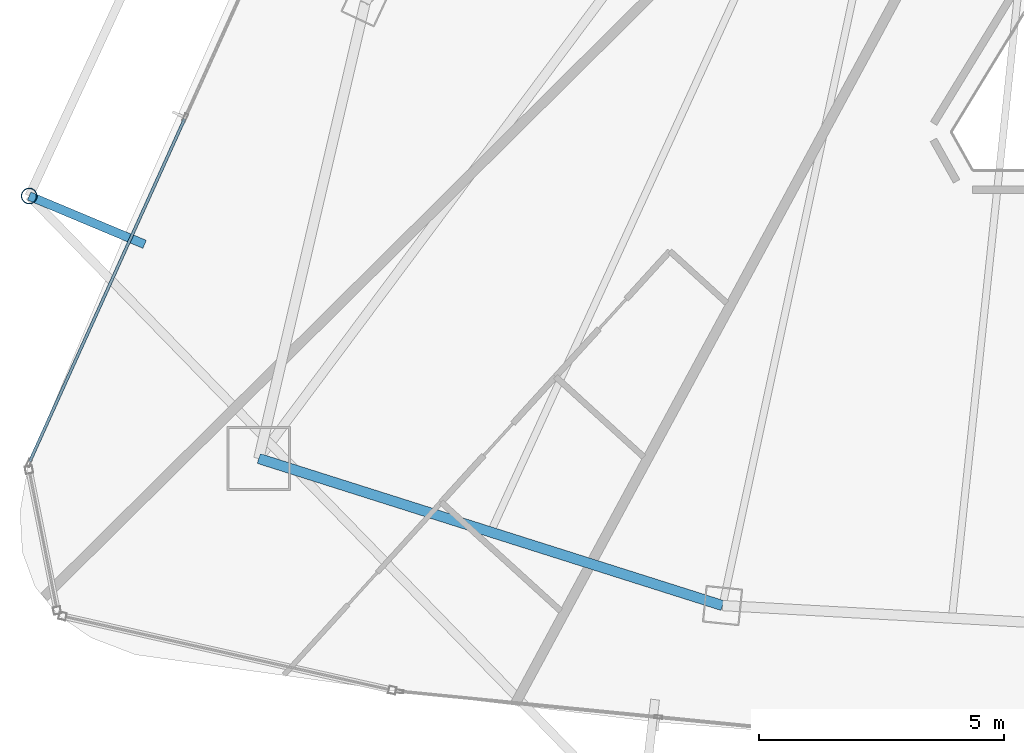
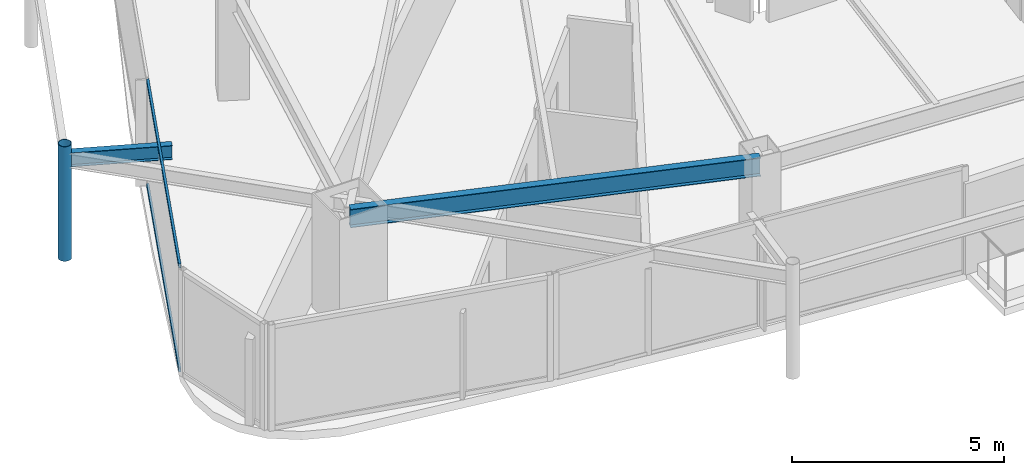
# One storey, part 5 of 34: 3 members, 2 beams, 1 element without a shape of its own.
"""IFC4 building model written with IfcOpenShell, lengths in metres."""

from ifc_helpers import new_model, si_unit, direction, frame, origin, origin_2d, place, context, subcontext, project, spatial, hollow_rectangle, hollow_circle, i_section, extrude, material, layer, layer_set, material_profile, profile_set, type_object, element, aggregate, save


model = new_model("IFC4")

# Units and contexts
model_context = context("Model", 3, precision=1e-05, world=origin(), true_north=direction((0.0, 1.0)))
body_context = subcontext(model_context, "Body", "Model", "MODEL_VIEW")
ifc_project = project(units=[si_unit("LENGTHUNIT", "METRE"), si_unit("AREAUNIT", "SQUARE_METRE"), si_unit("VOLUMEUNIT", "CUBIC_METRE"), si_unit("PLANEANGLEUNIT", "RADIAN"), si_unit("MASSUNIT", "GRAM", prefix="KILO")], contexts=[model_context])

# Site, building, storey
site_placement = place(None, origin())
site = spatial("IfcSite", under=ifc_project, at=site_placement, CompositionType="ELEMENT")
building_placement = place(site_placement, origin())
building = spatial("IfcBuilding", under=site, at=building_placement, Name="Orvanel Arch Residences", CompositionType="ELEMENT")
storey_placement = place(building_placement, frame((0.0, 0.0, 199.699951171875)))
storey = spatial("IfcBuildingStorey", under=building, at=storey_placement, Name="L56", CompositionType="ELEMENT", Elevation=199.699951171875)

# Beams
ifc_material_1 = material(Name="Structural steel AS/NZS 3679.1 Grade 300 (300 MPa)", Category="steel")
ifc_material_profile_1 = material_profile(ifc_material_1, i_section(OverallWidth=0.177978515625, OverallDepth=0.406005859375, WebThickness=0.0078125, FlangeThickness=0.0126953125, at=origin_2d()), Name="410UB59.7")
ifc_profile_set_1 = profile_set([ifc_material_profile_1], Name="Structural steel AS/NZS 3679.1 Grade 300 (300 MPa)")
beam_type_1 = type_object("IfcBeamType", Name="OB-410UB-EXT", PredefinedType="SPANDREL", material=ifc_profile_set_1)
beam_1_placement = place(storey_placement, frame((11.8720703125, 14.716064453125, 2.85693359375), z_axis=(-0.92240132861, 0.386232817066, 0.0), x_axis=(-0.386232817066, -0.92240132861, 0.0)))
element("IfcBeam", 1, at=beam_1_placement, inside=storey, type_object=beam_type_1, Name="L56 Outer Frame Radial Tie Beam 04", PredefinedType="SPANDREL", context=body_context, shape_type="SweptSolid", body=[
    extrude(i_section(OverallWidth=0.177978515625, OverallDepth=0.406005859375, WebThickness=0.0078125, FlangeThickness=0.0126953125, at=origin_2d()), origin(), (0.0, 0.0, 1.0), 2.5498046875),
])
ifc_material_profile_2 = material_profile(ifc_material_1, i_section(OverallWidth=0.208984375, OverallDepth=0.532958984375, WebThickness=0.01025390625, FlangeThickness=0.015625, at=origin_2d()), Name="530UB92.4")
ifc_profile_set_2 = profile_set([ifc_material_profile_2], Name="Structural steel AS/NZS 3679.1 Grade 300 (300 MPa)")
beam_type_2 = type_object("IfcBeamType", Name="SP-530UB", PredefinedType="SPANDREL", material=ifc_profile_set_2)
beam_2_placement = place(storey_placement, frame((14.198974609375, 10.35107421875, 2.79296875), z_axis=(0.953237386592, -0.302222574941, 0.0), x_axis=(0.302222574941, 0.953237386592, 0.0)))
element("IfcBeam", 2, at=beam_2_placement, inside=storey, type_object=beam_type_2, Name="L56 Perimeter Spandrel Beam 02", PredefinedType="SPANDREL", context=body_context, shape_type="SweptSolid", body=[
    extrude(i_section(OverallWidth=0.208984375, OverallDepth=0.532958984375, WebThickness=0.01025390625, FlangeThickness=0.015625, at=origin_2d()), origin(), (0.0, 0.0, 1.0), 9.91357421875),
])

# Member
ifc_material_2 = material(Name="Structural steel AS/NZS 1163 C350L0 (Grade 350)", Category="steel")
ifc_material_profile_3 = material_profile(ifc_material_2, hollow_circle(Radius=0.162109375, WallThickness=0.0126953125, at=origin_2d()), Name="CHS324x12.7")
ifc_profile_set_3 = profile_set([ifc_material_profile_3], Name="Structural steel AS/NZS 1163 C350L0 (Grade 350)")
member_type_1 = type_object("IfcMemberType", Name="ST-324CHS-EXT", PredefinedType="STRUT", material=ifc_profile_set_3)
member_1_placement = place(storey_placement, frame((9.52001953125, 15.700927734375, 0.0), z_axis=(0.0, 0.0, 1.0), x_axis=(1.0, 0.0, 0.0)))
element("IfcMember", 3, at=member_1_placement, inside=storey, type_object=member_type_1, Name="L56 Outer Perimeter Frame Post 04", PredefinedType="STRUT", context=body_context, shape_type="SweptSolid", body=[
    extrude(hollow_circle(Radius=0.162109375, WallThickness=0.0126953125, at=origin_2d()), origin(), (0.0, 0.0, 1.0), 3.300048828125),
])

# Curtain wall, members
ifc_material_3 = material(Name="Bronze-anodised aluminium AA6063-T6", Category="aluminium")
ifc_layer = layer(ifc_material_3, 0.175048828125)
ifc_layer_set = layer_set([ifc_layer], Name="Bronze-anodised aluminium AA6063-T6")
curtain_wall_type = type_object("IfcCurtainWallType", Name="CW4-HI-SYS", PredefinedType="NOTDEFINED", material=ifc_layer_set)
curtain_wall_placement = place(storey_placement, origin())
curtain_wall = element("IfcCurtainWall", 4, at=curtain_wall_placement, inside=storey, type_object=curtain_wall_type, Name="L56 CW4-HI-SYS Unitised Curtain Wall", PredefinedType="NOTDEFINED")
ifc_material_profile_4 = material_profile(ifc_material_3, hollow_rectangle(XDim=0.06005859375, YDim=0.1201171875, WallThickness=0.00341796875, at=origin_2d()), Name="ALU120x60x3.5")
ifc_profile_set_4 = profile_set([ifc_material_profile_4], Name="Bronze-anodised aluminium AA6063-T6")
member_type_2 = type_object("IfcMemberType", Name="TRN-120x60", PredefinedType="USERDEFINED", material=ifc_profile_set_4)
member_2_placement = place(storey_placement, frame((12.6865234375, 17.269775390625, 0.030029296875), z_axis=(-0.411769539128, -0.911288015199, 0.0), x_axis=(0.911288015199, -0.411769539128, 0.0)))
member_2 = element("IfcMember", 5, at=member_2_placement, type_object=member_type_2, Name="CW-S4 transom 2.1", ObjectType="TRANSOM", PredefinedType="USERDEFINED", context=body_context, shape_type="SweptSolid", body=[
    extrude(hollow_rectangle(XDim=0.06005859375, YDim=0.1201171875, WallThickness=0.00341796875, at=origin_2d()), origin(), (0.0, 0.0, 1.0), 7.65673828125),
])
member_3_placement = place(storey_placement, frame((12.6865234375, 17.269775390625, 3.030029296875), z_axis=(-0.411769539128, -0.911288015199, 0.0), x_axis=(0.911288015199, -0.411769539128, 0.0)))
member_3 = element("IfcMember", 6, at=member_3_placement, type_object=member_type_2, Name="CW-S4 transom 2.2", ObjectType="TRANSOM", PredefinedType="USERDEFINED", context=body_context, shape_type="SweptSolid", body=[
    extrude(hollow_rectangle(XDim=0.06005859375, YDim=0.1201171875, WallThickness=0.00341796875, at=origin_2d()), origin(), (0.0, 0.0, 1.0), 7.65673828125),
])
aggregate(curtain_wall, [member_2, member_3])

save(model, "model.ifc")
